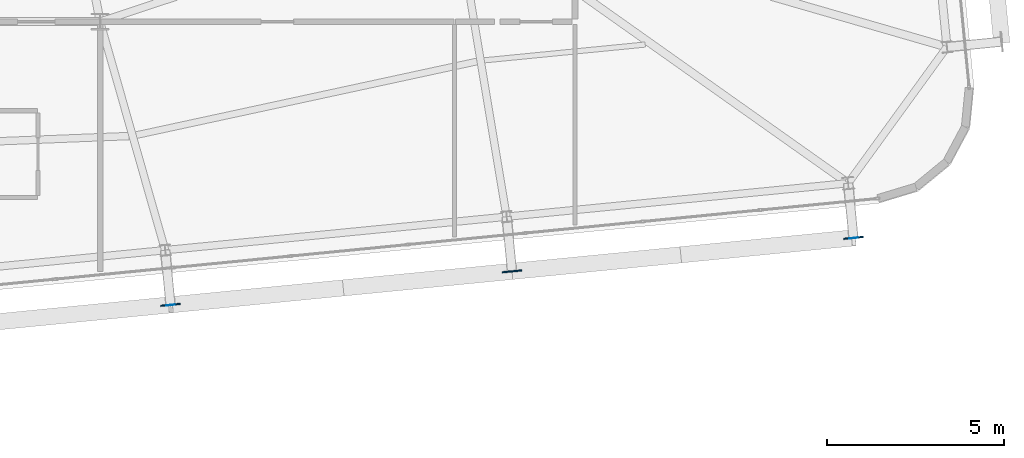
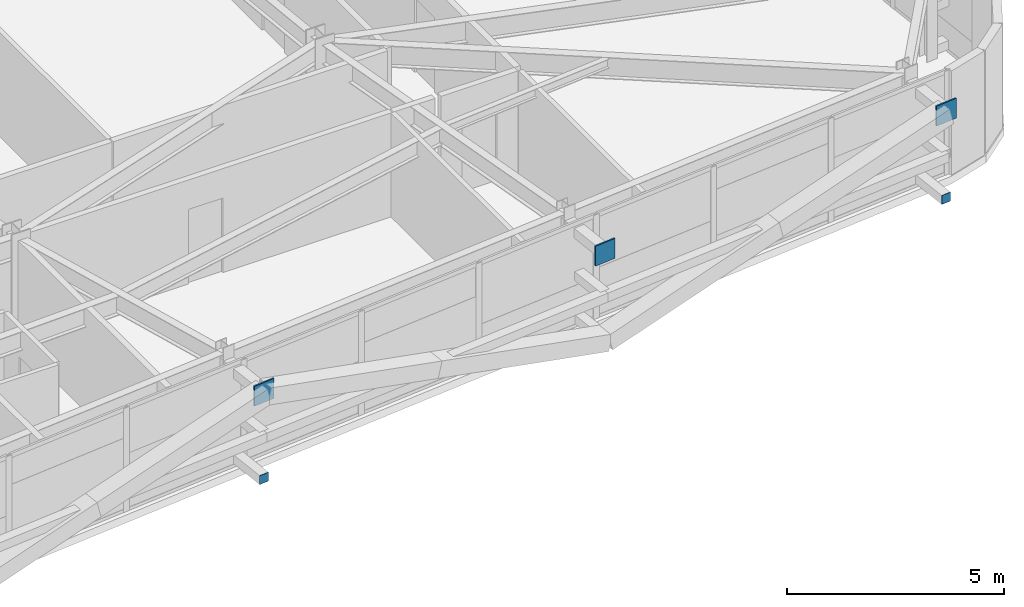
# One storey, part 41 of 52: 5 plates.
"""IFC4 building model written with IfcOpenShell, lengths in metres."""

from ifc_helpers import new_model, si_unit, direction, frame, origin, origin_2d, place, context, subcontext, project, spatial, rectangle, extrude, source, transform, mapped, material, layer, layer_set, type_object, element, save


model = new_model("IFC4")

# Units and contexts
model_context = context("Model", 3, precision=1e-05, world=origin(), true_north=direction((0.0, 1.0)))
body_context = subcontext(model_context, "Body", "Model", "MODEL_VIEW")
ifc_project = project(units=[si_unit("LENGTHUNIT", "METRE"), si_unit("AREAUNIT", "SQUARE_METRE"), si_unit("VOLUMEUNIT", "CUBIC_METRE"), si_unit("PLANEANGLEUNIT", "RADIAN"), si_unit("MASSUNIT", "GRAM", prefix="KILO")], contexts=[model_context])

# Site, building, storey
site_placement = place(None, origin())
site = spatial("IfcSite", under=ifc_project, at=site_placement, CompositionType="ELEMENT")
building_placement = place(site_placement, origin())
building = spatial("IfcBuilding", under=site, at=building_placement, Name="Taldren Reach Tower", CompositionType="ELEMENT")
storey_placement = place(building_placement, frame((0.0, 0.0, 93.449951171875)))
storey = spatial("IfcBuildingStorey", under=building, at=storey_placement, Name="L28", CompositionType="ELEMENT", Elevation=93.449951171875)

# Plates
ifc_material_1 = material(Name="Steel Gr 450 (C450L0)", Category="steel")
ifc_layer_1 = layer(ifc_material_1, 0.0400390625)
ifc_layer_set_1 = layer_set([ifc_layer_1], Name="Steel Gr 450 (C450L0)")
plate_type_1 = type_object("IfcPlateType", Name="PL-GUSSET-40", PredefinedType="SHEET", material=ifc_layer_set_1)
shared_shape_1 = source(origin(), body_context, "Body", "SweptSolid", [
    extrude(rectangle(XDim=0.56005859375, YDim=0.0400390625, at=origin_2d()), origin(), (0.0, 0.0, 1.0), 0.56005859375),
])
for number, where, z_axis, x_axis, name in (
    (1, (43.98681640625, 1.21142578125, 2.3701171875), (0.0, 0.0, 1.0), (0.995227399982, 0.097582899759, 0.0), "Exoskeleton star-node gusset plate B2-S4 L28"),
    (2, (53.62060546875, 2.156005859375, 2.3701171875), (0.0, 0.0, 1.0), (0.995227399982, 0.097582899759, 0.0), "Exoskeleton star-node gusset plate B2-S5 L28"),
    (3, (63.25439453125, 3.1005859375, 2.3701171875), (0.0, 0.0, 1.0), (0.995227399982, 0.097582899759, 0.0), "Exoskeleton star-node gusset plate B2-S6 L28"),
):
    element("IfcPlate", number, at=place(storey_placement, frame(where, z_axis=z_axis, x_axis=x_axis)), inside=storey, type_object=plate_type_1, Name=name, PredefinedType="SHEET", context=body_context, shape_type="MappedRepresentation", body=[
        mapped(shared_shape_1, transform((0.0, 0.0, 0.0), scale=1.0)),
    ])
ifc_material_2 = material(Name="Steel Gr 350 (C350L0)", Category="steel")
ifc_layer_2 = layer(ifc_material_2, 0.011962890625)
ifc_layer_set_2 = layer_set([ifc_layer_2], Name="Steel Gr 350 (C350L0)")
plate_type_2 = type_object("IfcPlateType", Name="PL-CAP-250", PredefinedType="SHEET", material=ifc_layer_set_2)
shared_shape_2 = source(origin(), body_context, "Body", "SweptSolid", [
    extrude(rectangle(XDim=0.25, YDim=0.011962890625, at=origin_2d()), origin(), (0.0, 0.0, 1.0), 0.25),
])
for number, where, z_axis, x_axis, name in (
    (4, (43.9873046875, 1.205322265625, 0.094970703125), (0.0, 0.0, 1.0), (0.995227399982, 0.097582899759, 0.0), "Tie strut end cap plate B2-S4 L28"),
    (5, (63.255126953125, 3.094482421875, 0.094970703125), (0.0, 0.0, 1.0), (0.995227399982, 0.097582899759, 0.0), "Tie strut end cap plate B2-S6 L28"),
):
    element("IfcPlate", number, at=place(storey_placement, frame(where, z_axis=z_axis, x_axis=x_axis)), inside=storey, type_object=plate_type_2, Name=name, PredefinedType="SHEET", context=body_context, shape_type="MappedRepresentation", body=[
        mapped(shared_shape_2, transform((0.0, 0.0, 0.0), scale=1.0)),
    ])

save(model, "model.ifc")
